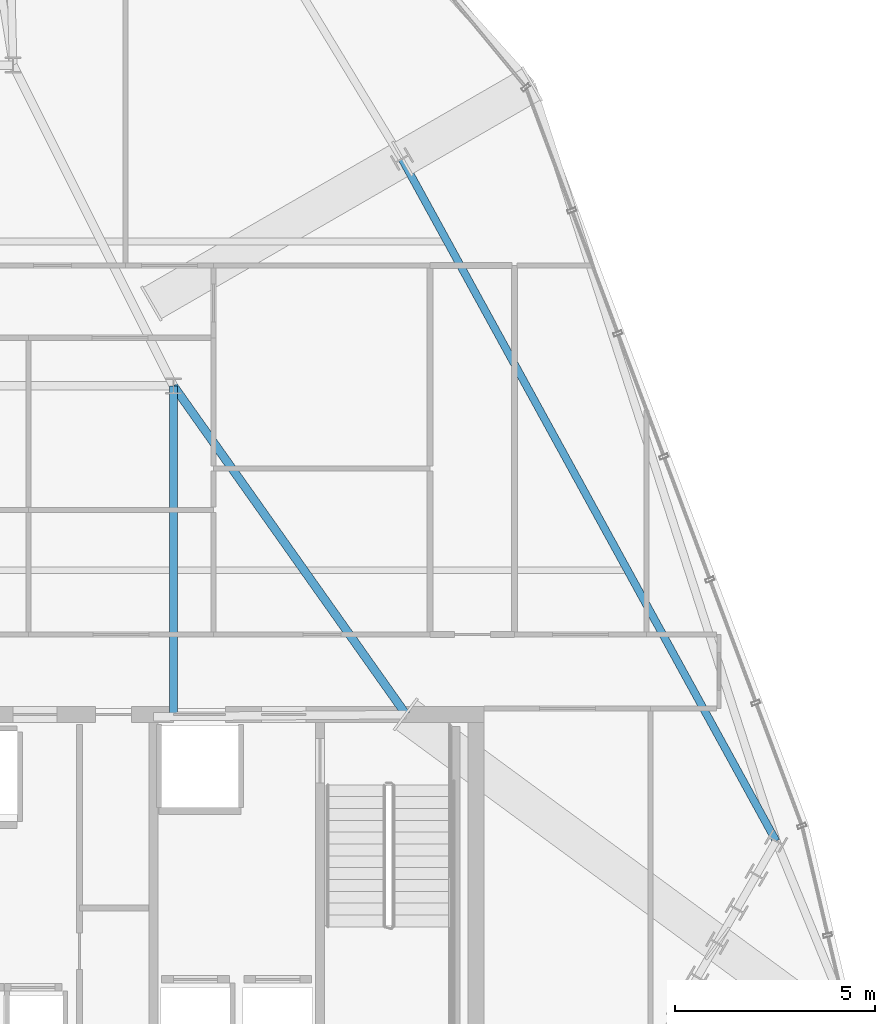
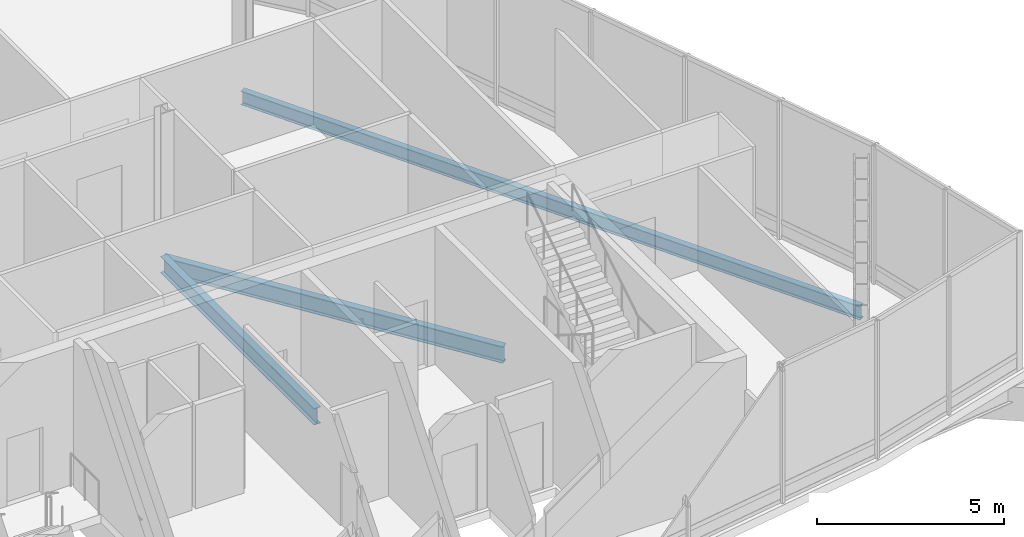
# One storey, part 12 of 29: 3 beams.
"""IFC4 building model written with IfcOpenShell, lengths in metres."""

from ifc_helpers import new_model, si_unit, direction, frame, origin, origin_2d, place, context, subcontext, project, spatial, i_section, extrude, material, material_profile, profile_set, type_object, element, save


model = new_model("IFC4")

# Units and contexts
model_context = context("Model", 3, precision=1e-05, world=origin(), true_north=direction((0.0, 1.0)))
body_context = subcontext(model_context, "Body", "Model", "MODEL_VIEW")
ifc_project = project(units=[si_unit("LENGTHUNIT", "METRE"), si_unit("AREAUNIT", "SQUARE_METRE"), si_unit("VOLUMEUNIT", "CUBIC_METRE"), si_unit("PLANEANGLEUNIT", "RADIAN"), si_unit("MASSUNIT", "GRAM", prefix="KILO")], contexts=[model_context])

# Site, building, storey
site_placement = place(None, origin())
site = spatial("IfcSite", under=ifc_project, at=site_placement, CompositionType="ELEMENT")
building_placement = place(site_placement, origin())
building = spatial("IfcBuilding", under=site, at=building_placement, Name="Ndaravel Arena Tower", CompositionType="ELEMENT")
storey_placement = place(building_placement, frame((0.0, 0.0, 208.39990234375)))
storey = spatial("IfcBuildingStorey", under=building, at=storey_placement, Name="L50", CompositionType="ELEMENT", Elevation=208.39990234375)

# Beams
ifc_material_1 = material(Name="Steel S355", Category="steel")
ifc_material_profile_1 = material_profile(ifc_material_1, i_section(OverallWidth=0.210693359375, OverallDepth=0.53955078125, WebThickness=0.01171875, FlangeThickness=0.018798828125, FilletRadius=0.0126953125, at=origin_2d()), Name="UB 533x210x109")
ifc_profile_set_1 = profile_set([ifc_material_profile_1], Name="Steel S355")
beam_type_1 = type_object("IfcBeamType", Name="BM-GIRD-UB533", PredefinedType="BEAM", material=ifc_profile_set_1)
beam_1_placement = place(storey_placement, frame((49.800048828125, 14.97998046875, -0.549560546875), z_axis=(0.0, 1.0, 0.0), x_axis=(-1.0, 0.0, 0.0)))
element("IfcBeam", 1, at=beam_1_placement, inside=storey, type_object=beam_type_1, Name="L50 Spine Link Girder SLG-02", PredefinedType="BEAM", context=body_context, shape_type="SweptSolid", body=[
    extrude(i_section(OverallWidth=0.210693359375, OverallDepth=0.53955078125, WebThickness=0.01171875, FlangeThickness=0.018798828125, FilletRadius=0.0126953125, at=origin_2d()), origin(), (0.0, 0.0, 1.0), 8.219970703125),
])
beam_2_placement = place(storey_placement, frame((55.603515625, 15.0, -0.549560546875), z_axis=(-0.57769700771, 0.8162512893, 0.0), x_axis=(-0.8162512893, -0.57769700771, 0.0)))
element("IfcBeam", 2, at=beam_2_placement, inside=storey, type_object=beam_type_1, Name="L50 Star Backspan Anchor Tie SAT2-3", PredefinedType="BEAM", context=body_context, shape_type="SweptSolid", body=[
    extrude(i_section(OverallWidth=0.210693359375, OverallDepth=0.53955078125, WebThickness=0.01171875, FlangeThickness=0.018798828125, FilletRadius=0.0126953125, at=origin_2d()), origin(), (0.0, 0.0, 1.0), 10.0458984375),
])
ifc_material_2 = material(Name="Steel S355", Category="steel")
ifc_material_profile_2 = material_profile(ifc_material_2, i_section(OverallWidth=0.18994140625, OverallDepth=0.449951171875, WebThickness=0.009521484375, FlangeThickness=0.0146484375, FilletRadius=0.02099609375, at=origin_2d()), Name="IPE 450")
ifc_profile_set_2 = profile_set([ifc_material_profile_2], Name="Steel S355")
beam_type_2 = type_object("IfcBeamType", Name="BM-SPAN-IPE450", PredefinedType="SPANDREL", material=ifc_profile_set_2)
beam_3_placement = place(storey_placement, frame((64.82861328125, 11.84814453125, -0.5048828125), z_axis=(-0.480930598805, 0.876758666415, 0.0), x_axis=(-0.876758666415, -0.480930598805, 0.0)))
element("IfcBeam", 3, at=beam_3_placement, inside=storey, type_object=beam_type_2, Name="L50 Perimeter Spandrel Beam SP-09", PredefinedType="SPANDREL", context=body_context, shape_type="SweptSolid", body=[
    extrude(i_section(OverallWidth=0.18994140625, OverallDepth=0.449951171875, WebThickness=0.009521484375, FlangeThickness=0.0146484375, FilletRadius=0.02099609375, at=origin_2d()), origin(), (0.0, 0.0, 1.0), 19.401611328125),
])

save(model, "model.ifc")
